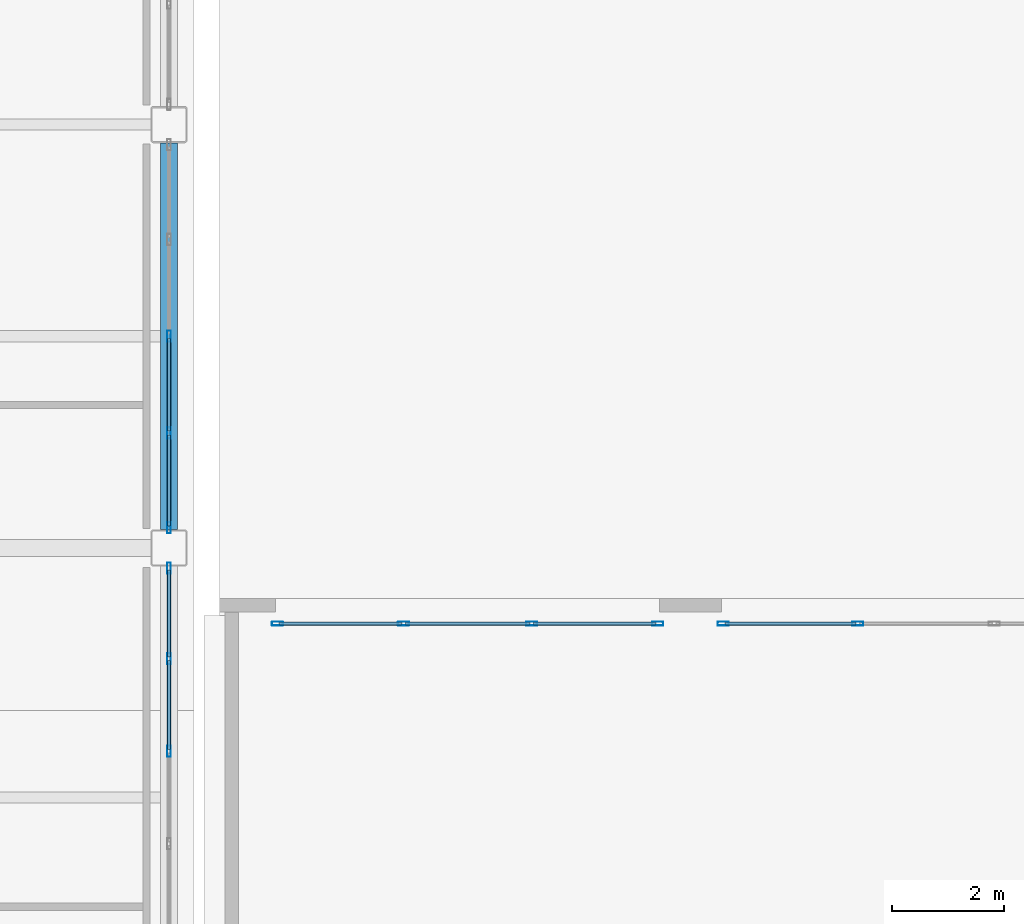
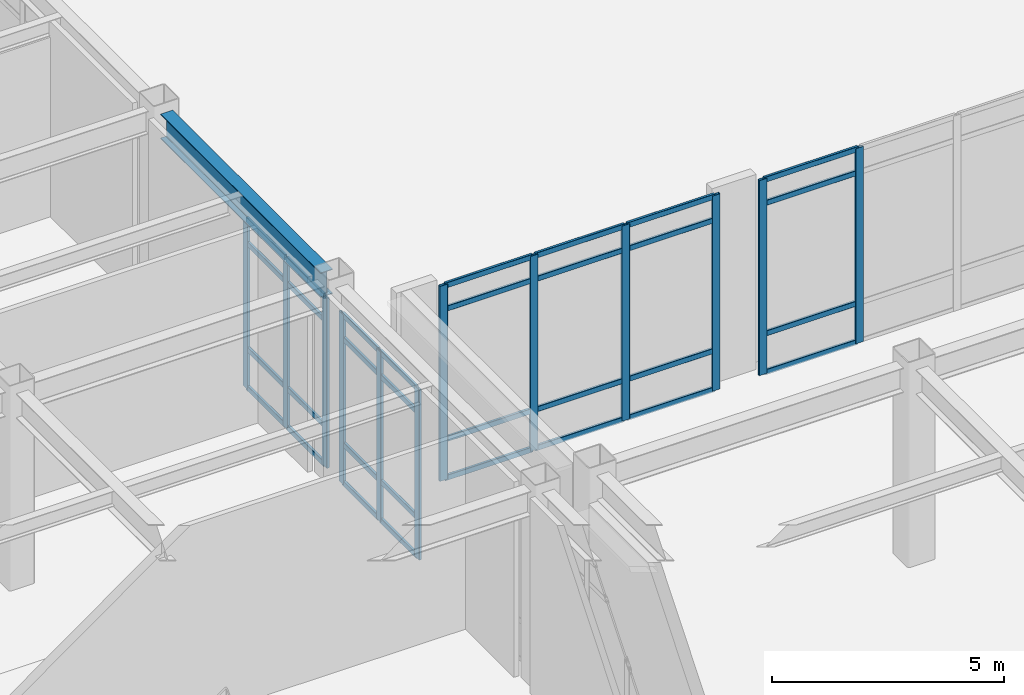
# One storey, part 56 of 165: 44 members, 1 beam, 4 elements without a shape of their own.
"""IFC4 building model written with IfcOpenShell, lengths in metres."""

from ifc_helpers import new_model, si_unit, direction, frame, origin, origin_2d, place, context, subcontext, project, spatial, hollow_rectangle, i_section, extrude, material, layer, layer_set, material_profile, profile_set, type_object, element, aggregate, save


model = new_model("IFC4")

# Units and contexts
model_context = context("Model", 3, precision=1e-05, world=origin(), true_north=direction((0.0, 1.0)))
body_context = subcontext(model_context, "Body", "Model", "MODEL_VIEW")
ifc_project = project(units=[si_unit("LENGTHUNIT", "METRE"), si_unit("AREAUNIT", "SQUARE_METRE"), si_unit("VOLUMEUNIT", "CUBIC_METRE"), si_unit("PLANEANGLEUNIT", "RADIAN"), si_unit("MASSUNIT", "GRAM", prefix="KILO")], contexts=[model_context])

# Site, building, storey
site_placement = place(None, origin())
site = spatial("IfcSite", under=ifc_project, at=site_placement, CompositionType="ELEMENT")
building_placement = place(site_placement, origin())
building = spatial("IfcBuilding", under=site, at=building_placement, Name="Kazehara Bluff Congress Hotel", CompositionType="ELEMENT")
storey_placement = place(building_placement, origin())
storey = spatial("IfcBuildingStorey", under=building, at=storey_placement, Name="L00", CompositionType="ELEMENT", Elevation=0.0)

# Curtain wall, members
ifc_material_1 = material(Name="Anodised aluminium", Category="aluminium")
ifc_layer_1 = layer(ifc_material_1, 0.159912109375)
ifc_layer_set_1 = layer_set([ifc_layer_1], Name="Anodised aluminium")
curtain_wall_type_1 = type_object("IfcCurtainWallType", Name="TP-CW-50", PredefinedType="NOTDEFINED", material=ifc_layer_set_1)
curtain_wall_1_placement = place(storey_placement, origin())
curtain_wall_1 = element("IfcCurtainWall", 1, at=curtain_wall_1_placement, inside=storey, type_object=curtain_wall_type_1, Name="L00 curtain wall CW-50 CW-V4-L00-X10920-3233", PredefinedType="NOTDEFINED")
ifc_material_2 = material(Name="Anodised aluminium", Category="aluminium")
ifc_material_profile_1 = material_profile(ifc_material_2, hollow_rectangle(XDim=0.070068359375, YDim=0.199951171875, WallThickness=0.0048828125, InnerFilletRadius=0.0048828125, OuterFilletRadius=0.010009765625, at=origin_2d()))
ifc_profile_set_1 = profile_set([ifc_material_profile_1], Name="Anodised aluminium")
member_type_1 = type_object("IfcMemberType", Name="TP-CWM-03", PredefinedType="MULLION", material=ifc_profile_set_1)
member_1_placement = place(storey_placement, frame((109.199951171875, 37.27490234375, 0.0), z_axis=(0.0, 0.0, 1.0), x_axis=(-1.0, 0.0, 0.0)))
member_1 = element("IfcMember", 2, at=member_1_placement, type_object=member_type_1, Name="CW-50 mullion 4", PredefinedType="MULLION", context=body_context, shape_type="SweptSolid", body=[
    extrude(hollow_rectangle(XDim=0.070068359375, YDim=0.199951171875, WallThickness=0.0048828125, InnerFilletRadius=0.0048828125, OuterFilletRadius=0.010009765625, at=origin_2d()), origin(), (0.0, 0.0, 1.0), 4.47509765625),
])
member_2_placement = place(storey_placement, frame((109.199951171875, 38.925048828125, 0.0), z_axis=(0.0, 0.0, 1.0), x_axis=(-1.0, 0.0, 0.0)))
member_2 = element("IfcMember", 3, at=member_2_placement, type_object=member_type_1, Name="CW-50 mullion 5", PredefinedType="MULLION", context=body_context, shape_type="SweptSolid", body=[
    extrude(hollow_rectangle(XDim=0.070068359375, YDim=0.199951171875, WallThickness=0.0048828125, InnerFilletRadius=0.0048828125, OuterFilletRadius=0.010009765625, at=origin_2d()), origin(), (0.0, 0.0, 1.0), 4.47509765625),
])
member_3_placement = place(storey_placement, frame((109.199951171875, 40.5400390625, 0.0), z_axis=(0.0, 0.0, 1.0), x_axis=(-1.0, 0.0, 0.0)))
member_3 = element("IfcMember", 4, at=member_3_placement, type_object=member_type_1, Name="CW-50 mullion 6", PredefinedType="MULLION", context=body_context, shape_type="SweptSolid", body=[
    extrude(hollow_rectangle(XDim=0.070068359375, YDim=0.199951171875, WallThickness=0.0048828125, InnerFilletRadius=0.0048828125, OuterFilletRadius=0.010009765625, at=origin_2d()), origin(), (0.0, 0.0, 1.0), 4.47509765625),
])

ifc_material_3 = material(Name="Anodised aluminium", Category="aluminium")
ifc_layer_2 = layer(ifc_material_3, 0.159912109375)
ifc_layer_set_2 = layer_set([ifc_layer_2], Name="Anodised aluminium")
curtain_wall_type_2 = type_object("IfcCurtainWallType", Name="TP-CW-51", PredefinedType="NOTDEFINED", material=ifc_layer_set_2)
curtain_wall_2_placement = place(storey_placement, origin())
curtain_wall_2 = element("IfcCurtainWall", 5, at=curtain_wall_2_placement, inside=storey, type_object=curtain_wall_type_2, Name="L00 curtain wall CW-51 CW-V4-L00-X10920-4122", PredefinedType="NOTDEFINED")
member_4_placement = place(storey_placement, frame((109.199951171875, 41.260009765625, 0.0), z_axis=(0.0, 0.0, 1.0), x_axis=(-1.0, 0.0, 0.0)))
member_4 = element("IfcMember", 6, at=member_4_placement, type_object=member_type_1, Name="CW-51 mullion 1", PredefinedType="MULLION", context=body_context, shape_type="SweptSolid", body=[
    extrude(hollow_rectangle(XDim=0.070068359375, YDim=0.199951171875, WallThickness=0.0048828125, InnerFilletRadius=0.0048828125, OuterFilletRadius=0.010009765625, at=origin_2d()), origin(), (0.0, 0.0, 1.0), 4.47509765625),
])
member_5_placement = place(storey_placement, frame((109.199951171875, 42.949951171875, 0.0), z_axis=(0.0, 0.0, 1.0), x_axis=(-1.0, 0.0, 0.0)))
member_5 = element("IfcMember", 7, at=member_5_placement, type_object=member_type_1, Name="CW-51 mullion 2", PredefinedType="MULLION", context=body_context, shape_type="SweptSolid", body=[
    extrude(hollow_rectangle(XDim=0.070068359375, YDim=0.199951171875, WallThickness=0.0048828125, InnerFilletRadius=0.0048828125, OuterFilletRadius=0.010009765625, at=origin_2d()), origin(), (0.0, 0.0, 1.0), 4.47509765625),
])
member_6_placement = place(storey_placement, frame((109.199951171875, 44.675048828125, 0.0), z_axis=(0.0, 0.0, 1.0), x_axis=(-1.0, 0.0, 0.0)))
member_6 = element("IfcMember", 8, at=member_6_placement, type_object=member_type_1, Name="CW-51 mullion 3", PredefinedType="MULLION", context=body_context, shape_type="SweptSolid", body=[
    extrude(hollow_rectangle(XDim=0.070068359375, YDim=0.199951171875, WallThickness=0.0048828125, InnerFilletRadius=0.0048828125, OuterFilletRadius=0.010009765625, at=origin_2d()), origin(), (0.0, 0.0, 1.0), 4.47509765625),
])

ifc_material_4 = material(Name="Anodised aluminium", Category="aluminium")
ifc_layer_3 = layer(ifc_material_4, 0.159912109375)
ifc_layer_set_3 = layer_set([ifc_layer_3], Name="Anodised aluminium")
curtain_wall_type_3 = type_object("IfcCurtainWallType", Name="TP-CW-81", PredefinedType="NOTDEFINED", material=ifc_layer_set_3)
curtain_wall_3_placement = place(storey_placement, origin())
curtain_wall_3 = element("IfcCurtainWall", 9, at=curtain_wall_3_placement, inside=storey, type_object=curtain_wall_type_3, Name="L00 curtain wall CW-81 CW-V5-L00-Y3955-11110", PredefinedType="NOTDEFINED")
member_7_placement = place(storey_placement, frame((111.135009765625, 39.550048828125, 0.0), z_axis=(0.0, 0.0, 1.0), x_axis=(0.0, 1.0, 0.0)))
member_7 = element("IfcMember", 10, at=member_7_placement, type_object=member_type_1, Name="CW-81 mullion 1", PredefinedType="MULLION", context=body_context, shape_type="SweptSolid", body=[
    extrude(hollow_rectangle(XDim=0.070068359375, YDim=0.199951171875, WallThickness=0.0048828125, InnerFilletRadius=0.0048828125, OuterFilletRadius=0.010009765625, at=origin_2d()), origin(), (0.0, 0.0, 1.0), 5.135009765625),
])
member_8_placement = place(storey_placement, frame((113.38330078125, 39.550048828125, 0.0), z_axis=(0.0, 0.0, 1.0), x_axis=(0.0, 1.0, 0.0)))
member_8 = element("IfcMember", 11, at=member_8_placement, type_object=member_type_1, Name="CW-81 mullion 2", PredefinedType="MULLION", context=body_context, shape_type="SweptSolid", body=[
    extrude(hollow_rectangle(XDim=0.070068359375, YDim=0.199951171875, WallThickness=0.0048828125, InnerFilletRadius=0.0048828125, OuterFilletRadius=0.010009765625, at=origin_2d()), origin(), (0.0, 0.0, 1.0), 5.135009765625),
])
member_9_placement = place(storey_placement, frame((115.666748046875, 39.550048828125, 0.0), z_axis=(0.0, 0.0, 1.0), x_axis=(0.0, 1.0, 0.0)))
member_9 = element("IfcMember", 12, at=member_9_placement, type_object=member_type_1, Name="CW-81 mullion 3", PredefinedType="MULLION", context=body_context, shape_type="SweptSolid", body=[
    extrude(hollow_rectangle(XDim=0.070068359375, YDim=0.199951171875, WallThickness=0.0048828125, InnerFilletRadius=0.0048828125, OuterFilletRadius=0.010009765625, at=origin_2d()), origin(), (0.0, 0.0, 1.0), 5.135009765625),
])
member_10_placement = place(storey_placement, frame((117.9150390625, 39.550048828125, 0.0), z_axis=(0.0, 0.0, 1.0), x_axis=(0.0, 1.0, 0.0)))
member_10 = element("IfcMember", 13, at=member_10_placement, type_object=member_type_1, Name="CW-81 mullion 4", PredefinedType="MULLION", context=body_context, shape_type="SweptSolid", body=[
    extrude(hollow_rectangle(XDim=0.070068359375, YDim=0.199951171875, WallThickness=0.0048828125, InnerFilletRadius=0.0048828125, OuterFilletRadius=0.010009765625, at=origin_2d()), origin(), (0.0, 0.0, 1.0), 5.135009765625),
])

ifc_material_5 = material(Name="Anodised aluminium", Category="aluminium")
ifc_layer_4 = layer(ifc_material_5, 0.159912109375)
ifc_layer_set_4 = layer_set([ifc_layer_4], Name="Anodised aluminium")
curtain_wall_type_4 = type_object("IfcCurtainWallType", Name="TP-CW-46", PredefinedType="NOTDEFINED", material=ifc_layer_set_4)
curtain_wall_4_placement = place(storey_placement, origin())
curtain_wall_4 = element("IfcCurtainWall", 14, at=curtain_wall_4_placement, inside=storey, type_object=curtain_wall_type_4, Name="L00 curtain wall CW-46 CW-V5-L00-Y3955-11905", PredefinedType="NOTDEFINED")
member_11_placement = place(storey_placement, frame((119.0849609375, 39.550048828125, 0.0), z_axis=(0.0, 0.0, 1.0), x_axis=(0.0, 1.0, 0.0)))
member_11 = element("IfcMember", 15, at=member_11_placement, type_object=member_type_1, Name="CW-46 mullion 1", PredefinedType="MULLION", context=body_context, shape_type="SweptSolid", body=[
    extrude(hollow_rectangle(XDim=0.070068359375, YDim=0.199951171875, WallThickness=0.0048828125, InnerFilletRadius=0.0048828125, OuterFilletRadius=0.010009765625, at=origin_2d()), origin(), (0.0, 0.0, 1.0), 5.135009765625),
])
member_12_placement = place(storey_placement, frame((121.4833984375, 39.550048828125, 0.0), z_axis=(0.0, 0.0, 1.0), x_axis=(0.0, 1.0, 0.0)))
member_12 = element("IfcMember", 16, at=member_12_placement, type_object=member_type_1, Name="CW-46 mullion 2", PredefinedType="MULLION", context=body_context, shape_type="SweptSolid", body=[
    extrude(hollow_rectangle(XDim=0.070068359375, YDim=0.199951171875, WallThickness=0.0048828125, InnerFilletRadius=0.0048828125, OuterFilletRadius=0.010009765625, at=origin_2d()), origin(), (0.0, 0.0, 1.0), 5.135009765625),
])

# Member
ifc_material_6 = material(Name="Anodised aluminium", Category="aluminium")
ifc_material_profile_2 = material_profile(ifc_material_6, hollow_rectangle(XDim=0.06494140625, YDim=0.139892578125, WallThickness=0.00390625, InnerFilletRadius=0.00390625, OuterFilletRadius=0.008056640625, at=origin_2d()))
ifc_profile_set_2 = profile_set([ifc_material_profile_2], Name="Anodised aluminium")
member_type_2 = type_object("IfcMemberType", Name="TP-CWT-02", PredefinedType="USERDEFINED", material=ifc_profile_set_2)
member_13_placement = place(storey_placement, frame((109.199951171875, 37.31005859375, 0.032470703125), z_axis=(0.0, 1.0, 0.0), x_axis=(-1.0, 0.0, 0.0)))
member_13 = element("IfcMember", 17, at=member_13_placement, type_object=member_type_2, Name="CW-50 transom 4.1", ObjectType="TRANSOM", PredefinedType="USERDEFINED", context=body_context, shape_type="SweptSolid", body=[
    extrude(hollow_rectangle(XDim=0.06494140625, YDim=0.139892578125, WallThickness=0.00390625, InnerFilletRadius=0.00390625, OuterFilletRadius=0.008056640625, at=origin_2d()), origin(), (0.0, 0.0, 1.0), 1.579833984375),
])

member_14_placement = place(storey_placement, frame((109.199951171875, 37.31005859375, 1.050048828125), z_axis=(0.0, 1.0, 0.0), x_axis=(-1.0, 0.0, 0.0)))
member_14 = element("IfcMember", 18, at=member_14_placement, type_object=member_type_2, Name="CW-50 transom 4.2", ObjectType="TRANSOM", PredefinedType="USERDEFINED", context=body_context, shape_type="SweptSolid", body=[
    extrude(hollow_rectangle(XDim=0.06494140625, YDim=0.139892578125, WallThickness=0.00390625, InnerFilletRadius=0.00390625, OuterFilletRadius=0.008056640625, at=origin_2d()), origin(), (0.0, 0.0, 1.0), 1.579833984375),
])

member_15_placement = place(storey_placement, frame((109.199951171875, 37.31005859375, 3.824951171875), z_axis=(0.0, 1.0, 0.0), x_axis=(-1.0, 0.0, 0.0)))
member_15 = element("IfcMember", 19, at=member_15_placement, type_object=member_type_2, Name="CW-50 transom 4.3", ObjectType="TRANSOM", PredefinedType="USERDEFINED", context=body_context, shape_type="SweptSolid", body=[
    extrude(hollow_rectangle(XDim=0.06494140625, YDim=0.139892578125, WallThickness=0.00390625, InnerFilletRadius=0.00390625, OuterFilletRadius=0.008056640625, at=origin_2d()), origin(), (0.0, 0.0, 1.0), 1.579833984375),
])

member_16_placement = place(storey_placement, frame((109.199951171875, 37.31005859375, 4.4423828125), z_axis=(0.0, 1.0, 0.0), x_axis=(-1.0, 0.0, 0.0)))
member_16 = element("IfcMember", 20, at=member_16_placement, type_object=member_type_2, Name="CW-50 transom 4.4", ObjectType="TRANSOM", PredefinedType="USERDEFINED", context=body_context, shape_type="SweptSolid", body=[
    extrude(hollow_rectangle(XDim=0.06494140625, YDim=0.139892578125, WallThickness=0.00390625, InnerFilletRadius=0.00390625, OuterFilletRadius=0.008056640625, at=origin_2d()), origin(), (0.0, 0.0, 1.0), 1.579833984375),
])

member_17_placement = place(storey_placement, frame((109.199951171875, 38.9599609375, 0.032470703125), z_axis=(0.0, 1.0, 0.0), x_axis=(-1.0, 0.0, 0.0)))
member_17 = element("IfcMember", 21, at=member_17_placement, type_object=member_type_2, Name="CW-50 transom 5.1", ObjectType="TRANSOM", PredefinedType="USERDEFINED", context=body_context, shape_type="SweptSolid", body=[
    extrude(hollow_rectangle(XDim=0.06494140625, YDim=0.139892578125, WallThickness=0.00390625, InnerFilletRadius=0.00390625, OuterFilletRadius=0.008056640625, at=origin_2d()), origin(), (0.0, 0.0, 1.0), 1.544921875),
])

member_18_placement = place(storey_placement, frame((109.199951171875, 38.9599609375, 1.050048828125), z_axis=(0.0, 1.0, 0.0), x_axis=(-1.0, 0.0, 0.0)))
member_18 = element("IfcMember", 22, at=member_18_placement, type_object=member_type_2, Name="CW-50 transom 5.2", ObjectType="TRANSOM", PredefinedType="USERDEFINED", context=body_context, shape_type="SweptSolid", body=[
    extrude(hollow_rectangle(XDim=0.06494140625, YDim=0.139892578125, WallThickness=0.00390625, InnerFilletRadius=0.00390625, OuterFilletRadius=0.008056640625, at=origin_2d()), origin(), (0.0, 0.0, 1.0), 1.544921875),
])

member_19_placement = place(storey_placement, frame((109.199951171875, 38.9599609375, 3.824951171875), z_axis=(0.0, 1.0, 0.0), x_axis=(-1.0, 0.0, 0.0)))
member_19 = element("IfcMember", 23, at=member_19_placement, type_object=member_type_2, Name="CW-50 transom 5.3", ObjectType="TRANSOM", PredefinedType="USERDEFINED", context=body_context, shape_type="SweptSolid", body=[
    extrude(hollow_rectangle(XDim=0.06494140625, YDim=0.139892578125, WallThickness=0.00390625, InnerFilletRadius=0.00390625, OuterFilletRadius=0.008056640625, at=origin_2d()), origin(), (0.0, 0.0, 1.0), 1.544921875),
])

member_20_placement = place(storey_placement, frame((109.199951171875, 38.9599609375, 4.4423828125), z_axis=(0.0, 1.0, 0.0), x_axis=(-1.0, 0.0, 0.0)))
member_20 = element("IfcMember", 24, at=member_20_placement, type_object=member_type_2, Name="CW-50 transom 5.4", ObjectType="TRANSOM", PredefinedType="USERDEFINED", context=body_context, shape_type="SweptSolid", body=[
    extrude(hollow_rectangle(XDim=0.06494140625, YDim=0.139892578125, WallThickness=0.00390625, InnerFilletRadius=0.00390625, OuterFilletRadius=0.008056640625, at=origin_2d()), origin(), (0.0, 0.0, 1.0), 1.544921875),
])

aggregate(curtain_wall_1, [member_1, member_2, member_3, member_13, member_14, member_15, member_16, member_17, member_18, member_19, member_20])

member_21_placement = place(storey_placement, frame((109.199951171875, 41.294921875, 0.032470703125), z_axis=(0.0, 1.0, 0.0), x_axis=(-1.0, 0.0, 0.0)))
member_21 = element("IfcMember", 25, at=member_21_placement, type_object=member_type_2, Name="CW-51 transom 1.1", ObjectType="TRANSOM", PredefinedType="USERDEFINED", context=body_context, shape_type="SweptSolid", body=[
    extrude(hollow_rectangle(XDim=0.06494140625, YDim=0.139892578125, WallThickness=0.00390625, InnerFilletRadius=0.00390625, OuterFilletRadius=0.008056640625, at=origin_2d()), origin(), (0.0, 0.0, 1.0), 1.6201171875),
])

member_22_placement = place(storey_placement, frame((109.199951171875, 41.294921875, 1.050048828125), z_axis=(0.0, 1.0, 0.0), x_axis=(-1.0, 0.0, 0.0)))
member_22 = element("IfcMember", 26, at=member_22_placement, type_object=member_type_2, Name="CW-51 transom 1.2", ObjectType="TRANSOM", PredefinedType="USERDEFINED", context=body_context, shape_type="SweptSolid", body=[
    extrude(hollow_rectangle(XDim=0.06494140625, YDim=0.139892578125, WallThickness=0.00390625, InnerFilletRadius=0.00390625, OuterFilletRadius=0.008056640625, at=origin_2d()), origin(), (0.0, 0.0, 1.0), 1.6201171875),
])

member_23_placement = place(storey_placement, frame((109.199951171875, 41.294921875, 3.824951171875), z_axis=(0.0, 1.0, 0.0), x_axis=(-1.0, 0.0, 0.0)))
member_23 = element("IfcMember", 27, at=member_23_placement, type_object=member_type_2, Name="CW-51 transom 1.3", ObjectType="TRANSOM", PredefinedType="USERDEFINED", context=body_context, shape_type="SweptSolid", body=[
    extrude(hollow_rectangle(XDim=0.06494140625, YDim=0.139892578125, WallThickness=0.00390625, InnerFilletRadius=0.00390625, OuterFilletRadius=0.008056640625, at=origin_2d()), origin(), (0.0, 0.0, 1.0), 1.6201171875),
])

member_24_placement = place(storey_placement, frame((109.199951171875, 41.294921875, 4.4423828125), z_axis=(0.0, 1.0, 0.0), x_axis=(-1.0, 0.0, 0.0)))
member_24 = element("IfcMember", 28, at=member_24_placement, type_object=member_type_2, Name="CW-51 transom 1.4", ObjectType="TRANSOM", PredefinedType="USERDEFINED", context=body_context, shape_type="SweptSolid", body=[
    extrude(hollow_rectangle(XDim=0.06494140625, YDim=0.139892578125, WallThickness=0.00390625, InnerFilletRadius=0.00390625, OuterFilletRadius=0.008056640625, at=origin_2d()), origin(), (0.0, 0.0, 1.0), 1.6201171875),
])

member_25_placement = place(storey_placement, frame((109.199951171875, 42.985107421875, 0.032470703125), z_axis=(0.0, 1.0, 0.0), x_axis=(-1.0, 0.0, 0.0)))
member_25 = element("IfcMember", 29, at=member_25_placement, type_object=member_type_2, Name="CW-51 transom 2.1", ObjectType="TRANSOM", PredefinedType="USERDEFINED", context=body_context, shape_type="SweptSolid", body=[
    extrude(hollow_rectangle(XDim=0.06494140625, YDim=0.139892578125, WallThickness=0.00390625, InnerFilletRadius=0.00390625, OuterFilletRadius=0.008056640625, at=origin_2d()), origin(), (0.0, 0.0, 1.0), 1.65478515625),
])

member_26_placement = place(storey_placement, frame((109.199951171875, 42.985107421875, 1.050048828125), z_axis=(0.0, 1.0, 0.0), x_axis=(-1.0, 0.0, 0.0)))
member_26 = element("IfcMember", 30, at=member_26_placement, type_object=member_type_2, Name="CW-51 transom 2.2", ObjectType="TRANSOM", PredefinedType="USERDEFINED", context=body_context, shape_type="SweptSolid", body=[
    extrude(hollow_rectangle(XDim=0.06494140625, YDim=0.139892578125, WallThickness=0.00390625, InnerFilletRadius=0.00390625, OuterFilletRadius=0.008056640625, at=origin_2d()), origin(), (0.0, 0.0, 1.0), 1.65478515625),
])

member_27_placement = place(storey_placement, frame((109.199951171875, 42.985107421875, 3.824951171875), z_axis=(0.0, 1.0, 0.0), x_axis=(-1.0, 0.0, 0.0)))
member_27 = element("IfcMember", 31, at=member_27_placement, type_object=member_type_2, Name="CW-51 transom 2.3", ObjectType="TRANSOM", PredefinedType="USERDEFINED", context=body_context, shape_type="SweptSolid", body=[
    extrude(hollow_rectangle(XDim=0.06494140625, YDim=0.139892578125, WallThickness=0.00390625, InnerFilletRadius=0.00390625, OuterFilletRadius=0.008056640625, at=origin_2d()), origin(), (0.0, 0.0, 1.0), 1.65478515625),
])

member_28_placement = place(storey_placement, frame((109.199951171875, 42.985107421875, 4.4423828125), z_axis=(0.0, 1.0, 0.0), x_axis=(-1.0, 0.0, 0.0)))
member_28 = element("IfcMember", 32, at=member_28_placement, type_object=member_type_2, Name="CW-51 transom 2.4", ObjectType="TRANSOM", PredefinedType="USERDEFINED", context=body_context, shape_type="SweptSolid", body=[
    extrude(hollow_rectangle(XDim=0.06494140625, YDim=0.139892578125, WallThickness=0.00390625, InnerFilletRadius=0.00390625, OuterFilletRadius=0.008056640625, at=origin_2d()), origin(), (0.0, 0.0, 1.0), 1.65478515625),
])

aggregate(curtain_wall_2, [member_4, member_5, member_6, member_21, member_22, member_23, member_24, member_25, member_26, member_27, member_28])

member_29_placement = place(storey_placement, frame((111.169921875, 39.550048828125, 0.032470703125), z_axis=(1.0, 0.0, 0.0), x_axis=(0.0, 1.0, 0.0)))
member_29 = element("IfcMember", 33, at=member_29_placement, type_object=member_type_2, Name="CW-81 transom 1.1", ObjectType="TRANSOM", PredefinedType="USERDEFINED", context=body_context, shape_type="SweptSolid", body=[
    extrude(hollow_rectangle(XDim=0.06494140625, YDim=0.139892578125, WallThickness=0.00390625, InnerFilletRadius=0.00390625, OuterFilletRadius=0.008056640625, at=origin_2d()), origin(), (0.0, 0.0, 1.0), 2.178466796875),
])

member_30_placement = place(storey_placement, frame((111.169921875, 39.550048828125, 1.050048828125), z_axis=(1.0, 0.0, 0.0), x_axis=(0.0, 1.0, 0.0)))
member_30 = element("IfcMember", 34, at=member_30_placement, type_object=member_type_2, Name="CW-81 transom 1.2", ObjectType="TRANSOM", PredefinedType="USERDEFINED", context=body_context, shape_type="SweptSolid", body=[
    extrude(hollow_rectangle(XDim=0.06494140625, YDim=0.139892578125, WallThickness=0.00390625, InnerFilletRadius=0.00390625, OuterFilletRadius=0.008056640625, at=origin_2d()), origin(), (0.0, 0.0, 1.0), 2.178466796875),
])

member_31_placement = place(storey_placement, frame((111.169921875, 39.550048828125, 4.485107421875), z_axis=(1.0, 0.0, 0.0), x_axis=(0.0, 1.0, 0.0)))
member_31 = element("IfcMember", 35, at=member_31_placement, type_object=member_type_2, Name="CW-81 transom 1.3", ObjectType="TRANSOM", PredefinedType="USERDEFINED", context=body_context, shape_type="SweptSolid", body=[
    extrude(hollow_rectangle(XDim=0.06494140625, YDim=0.139892578125, WallThickness=0.00390625, InnerFilletRadius=0.00390625, OuterFilletRadius=0.008056640625, at=origin_2d()), origin(), (0.0, 0.0, 1.0), 2.178466796875),
])

member_32_placement = place(storey_placement, frame((111.169921875, 39.550048828125, 5.1025390625), z_axis=(1.0, 0.0, 0.0), x_axis=(0.0, 1.0, 0.0)))
member_32 = element("IfcMember", 36, at=member_32_placement, type_object=member_type_2, Name="CW-81 transom 1.4", ObjectType="TRANSOM", PredefinedType="USERDEFINED", context=body_context, shape_type="SweptSolid", body=[
    extrude(hollow_rectangle(XDim=0.06494140625, YDim=0.139892578125, WallThickness=0.00390625, InnerFilletRadius=0.00390625, OuterFilletRadius=0.008056640625, at=origin_2d()), origin(), (0.0, 0.0, 1.0), 2.178466796875),
])

member_33_placement = place(storey_placement, frame((113.418212890625, 39.550048828125, 0.032470703125), z_axis=(1.0, 0.0, 0.0), x_axis=(0.0, 1.0, 0.0)))
member_33 = element("IfcMember", 37, at=member_33_placement, type_object=member_type_2, Name="CW-81 transom 2.1", ObjectType="TRANSOM", PredefinedType="USERDEFINED", context=body_context, shape_type="SweptSolid", body=[
    extrude(hollow_rectangle(XDim=0.06494140625, YDim=0.139892578125, WallThickness=0.00390625, InnerFilletRadius=0.00390625, OuterFilletRadius=0.008056640625, at=origin_2d()), origin(), (0.0, 0.0, 1.0), 2.21337890625),
])

member_34_placement = place(storey_placement, frame((113.418212890625, 39.550048828125, 1.050048828125), z_axis=(1.0, 0.0, 0.0), x_axis=(0.0, 1.0, 0.0)))
member_34 = element("IfcMember", 38, at=member_34_placement, type_object=member_type_2, Name="CW-81 transom 2.2", ObjectType="TRANSOM", PredefinedType="USERDEFINED", context=body_context, shape_type="SweptSolid", body=[
    extrude(hollow_rectangle(XDim=0.06494140625, YDim=0.139892578125, WallThickness=0.00390625, InnerFilletRadius=0.00390625, OuterFilletRadius=0.008056640625, at=origin_2d()), origin(), (0.0, 0.0, 1.0), 2.21337890625),
])

member_35_placement = place(storey_placement, frame((113.418212890625, 39.550048828125, 4.485107421875), z_axis=(1.0, 0.0, 0.0), x_axis=(0.0, 1.0, 0.0)))
member_35 = element("IfcMember", 39, at=member_35_placement, type_object=member_type_2, Name="CW-81 transom 2.3", ObjectType="TRANSOM", PredefinedType="USERDEFINED", context=body_context, shape_type="SweptSolid", body=[
    extrude(hollow_rectangle(XDim=0.06494140625, YDim=0.139892578125, WallThickness=0.00390625, InnerFilletRadius=0.00390625, OuterFilletRadius=0.008056640625, at=origin_2d()), origin(), (0.0, 0.0, 1.0), 2.21337890625),
])

member_36_placement = place(storey_placement, frame((113.418212890625, 39.550048828125, 5.1025390625), z_axis=(1.0, 0.0, 0.0), x_axis=(0.0, 1.0, 0.0)))
member_36 = element("IfcMember", 40, at=member_36_placement, type_object=member_type_2, Name="CW-81 transom 2.4", ObjectType="TRANSOM", PredefinedType="USERDEFINED", context=body_context, shape_type="SweptSolid", body=[
    extrude(hollow_rectangle(XDim=0.06494140625, YDim=0.139892578125, WallThickness=0.00390625, InnerFilletRadius=0.00390625, OuterFilletRadius=0.008056640625, at=origin_2d()), origin(), (0.0, 0.0, 1.0), 2.21337890625),
])

member_37_placement = place(storey_placement, frame((115.70166015625, 39.550048828125, 0.032470703125), z_axis=(1.0, 0.0, 0.0), x_axis=(0.0, 1.0, 0.0)))
member_37 = element("IfcMember", 41, at=member_37_placement, type_object=member_type_2, Name="CW-81 transom 3.1", ObjectType="TRANSOM", PredefinedType="USERDEFINED", context=body_context, shape_type="SweptSolid", body=[
    extrude(hollow_rectangle(XDim=0.06494140625, YDim=0.139892578125, WallThickness=0.00390625, InnerFilletRadius=0.00390625, OuterFilletRadius=0.008056640625, at=origin_2d()), origin(), (0.0, 0.0, 1.0), 2.17822265625),
])

member_38_placement = place(storey_placement, frame((115.70166015625, 39.550048828125, 1.050048828125), z_axis=(1.0, 0.0, 0.0), x_axis=(0.0, 1.0, 0.0)))
member_38 = element("IfcMember", 42, at=member_38_placement, type_object=member_type_2, Name="CW-81 transom 3.2", ObjectType="TRANSOM", PredefinedType="USERDEFINED", context=body_context, shape_type="SweptSolid", body=[
    extrude(hollow_rectangle(XDim=0.06494140625, YDim=0.139892578125, WallThickness=0.00390625, InnerFilletRadius=0.00390625, OuterFilletRadius=0.008056640625, at=origin_2d()), origin(), (0.0, 0.0, 1.0), 2.17822265625),
])

member_39_placement = place(storey_placement, frame((115.70166015625, 39.550048828125, 4.485107421875), z_axis=(1.0, 0.0, 0.0), x_axis=(0.0, 1.0, 0.0)))
member_39 = element("IfcMember", 43, at=member_39_placement, type_object=member_type_2, Name="CW-81 transom 3.3", ObjectType="TRANSOM", PredefinedType="USERDEFINED", context=body_context, shape_type="SweptSolid", body=[
    extrude(hollow_rectangle(XDim=0.06494140625, YDim=0.139892578125, WallThickness=0.00390625, InnerFilletRadius=0.00390625, OuterFilletRadius=0.008056640625, at=origin_2d()), origin(), (0.0, 0.0, 1.0), 2.17822265625),
])

member_40_placement = place(storey_placement, frame((115.70166015625, 39.550048828125, 5.1025390625), z_axis=(1.0, 0.0, 0.0), x_axis=(0.0, 1.0, 0.0)))
member_40 = element("IfcMember", 44, at=member_40_placement, type_object=member_type_2, Name="CW-81 transom 3.4", ObjectType="TRANSOM", PredefinedType="USERDEFINED", context=body_context, shape_type="SweptSolid", body=[
    extrude(hollow_rectangle(XDim=0.06494140625, YDim=0.139892578125, WallThickness=0.00390625, InnerFilletRadius=0.00390625, OuterFilletRadius=0.008056640625, at=origin_2d()), origin(), (0.0, 0.0, 1.0), 2.17822265625),
])

aggregate(curtain_wall_3, [member_7, member_8, member_9, member_10, member_29, member_30, member_31, member_32, member_33, member_34, member_35, member_36, member_37, member_38, member_39, member_40])

member_41_placement = place(storey_placement, frame((119.1201171875, 39.550048828125, 0.032470703125), z_axis=(1.0, 0.0, 0.0), x_axis=(0.0, 1.0, 0.0)))
member_41 = element("IfcMember", 45, at=member_41_placement, type_object=member_type_2, Name="CW-46 transom 1.1", ObjectType="TRANSOM", PredefinedType="USERDEFINED", context=body_context, shape_type="SweptSolid", body=[
    extrude(hollow_rectangle(XDim=0.06494140625, YDim=0.139892578125, WallThickness=0.00390625, InnerFilletRadius=0.00390625, OuterFilletRadius=0.008056640625, at=origin_2d()), origin(), (0.0, 0.0, 1.0), 2.328125),
])

member_42_placement = place(storey_placement, frame((119.1201171875, 39.550048828125, 1.050048828125), z_axis=(1.0, 0.0, 0.0), x_axis=(0.0, 1.0, 0.0)))
member_42 = element("IfcMember", 46, at=member_42_placement, type_object=member_type_2, Name="CW-46 transom 1.2", ObjectType="TRANSOM", PredefinedType="USERDEFINED", context=body_context, shape_type="SweptSolid", body=[
    extrude(hollow_rectangle(XDim=0.06494140625, YDim=0.139892578125, WallThickness=0.00390625, InnerFilletRadius=0.00390625, OuterFilletRadius=0.008056640625, at=origin_2d()), origin(), (0.0, 0.0, 1.0), 2.328125),
])

member_43_placement = place(storey_placement, frame((119.1201171875, 39.550048828125, 4.485107421875), z_axis=(1.0, 0.0, 0.0), x_axis=(0.0, 1.0, 0.0)))
member_43 = element("IfcMember", 47, at=member_43_placement, type_object=member_type_2, Name="CW-46 transom 1.3", ObjectType="TRANSOM", PredefinedType="USERDEFINED", context=body_context, shape_type="SweptSolid", body=[
    extrude(hollow_rectangle(XDim=0.06494140625, YDim=0.139892578125, WallThickness=0.00390625, InnerFilletRadius=0.00390625, OuterFilletRadius=0.008056640625, at=origin_2d()), origin(), (0.0, 0.0, 1.0), 2.328125),
])

member_44_placement = place(storey_placement, frame((119.1201171875, 39.550048828125, 5.1025390625), z_axis=(1.0, 0.0, 0.0), x_axis=(0.0, 1.0, 0.0)))
member_44 = element("IfcMember", 48, at=member_44_placement, type_object=member_type_2, Name="CW-46 transom 1.4", ObjectType="TRANSOM", PredefinedType="USERDEFINED", context=body_context, shape_type="SweptSolid", body=[
    extrude(hollow_rectangle(XDim=0.06494140625, YDim=0.139892578125, WallThickness=0.00390625, InnerFilletRadius=0.00390625, OuterFilletRadius=0.008056640625, at=origin_2d()), origin(), (0.0, 0.0, 1.0), 2.328125),
])

aggregate(curtain_wall_4, [member_11, member_12, member_41, member_42, member_43, member_44])

# Beam
ifc_material_7 = material(Name="Steel SN490B", Category="steel")
ifc_material_profile_3 = material_profile(ifc_material_7, i_section(OverallWidth=0.300048828125, OverallDepth=0.64990234375, WebThickness=0.011962890625, FlangeThickness=0.02001953125, FilletRadius=0.012939453125, at=origin_2d()))
ifc_profile_set_3 = profile_set([ifc_material_profile_3], Name="Steel SN490B")
beam_type = type_object("IfcBeamType", Name="TP-G-03", PredefinedType="BEAM", material=ifc_profile_set_3)
beam_placement = place(storey_placement, frame((109.199951171875, 41.22509765625, 4.824951171875), z_axis=(0.0, 1.0, 0.0), x_axis=(-1.0, 0.0, 0.0)))
element("IfcBeam", 49, at=beam_placement, inside=storey, type_object=beam_type, Name="L00 girder G-03 183", PredefinedType="BEAM", context=body_context, shape_type="SweptSolid", body=[
    extrude(i_section(OverallWidth=0.300048828125, OverallDepth=0.64990234375, WebThickness=0.011962890625, FlangeThickness=0.02001953125, FilletRadius=0.012939453125, at=origin_2d()), origin(), (0.0, 0.0, 1.0), 6.89990234375),
])

save(model, "model.ifc")
